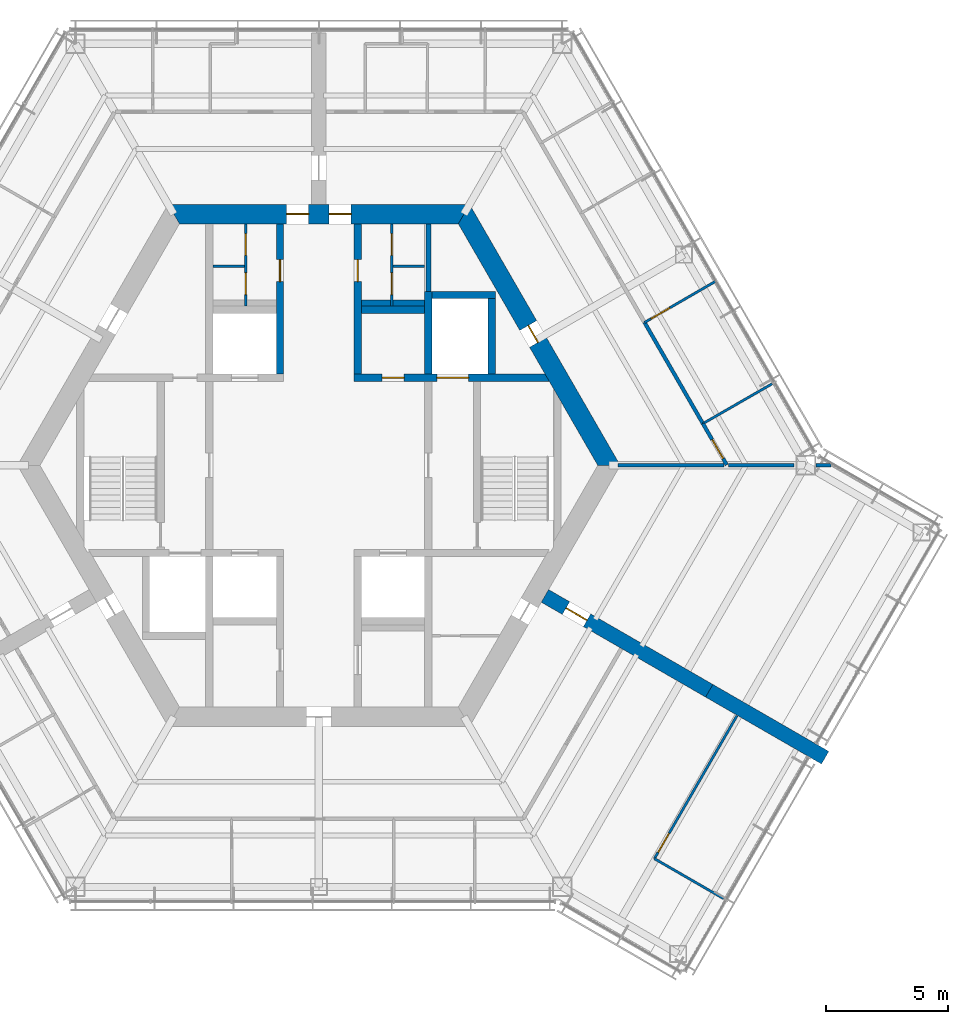
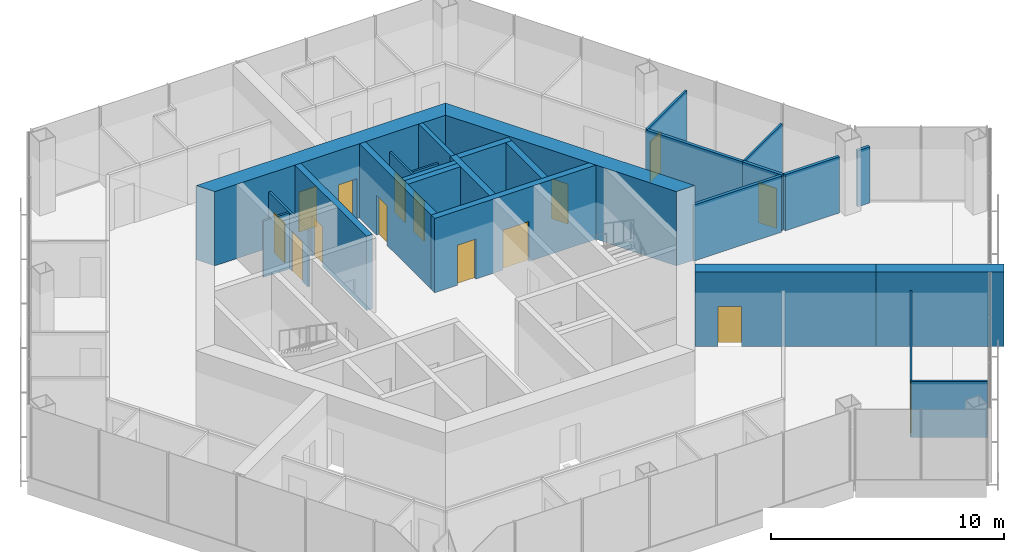
# One storey, part 9 of 13: 26 walls, 15 doors, 15 openings.
"""IFC4 building model written with IfcOpenShell, lengths in metres."""

from ifc_helpers import new_model, si_unit, direction, frame, frame_2d, origin, place, context, subcontext, project, spatial, polyline, rectangle, outline, extrude, material, layer, layer_set, type_object, element, fill, save


model = new_model("IFC4")

# Units and contexts
model_context = context("Model", 3, precision=1e-05, world=origin(), true_north=direction((0.0, 1.0)))
body_context = subcontext(model_context, "Body", "Model", "MODEL_VIEW")
ifc_project = project(units=[si_unit("LENGTHUNIT", "METRE"), si_unit("AREAUNIT", "SQUARE_METRE"), si_unit("VOLUMEUNIT", "CUBIC_METRE"), si_unit("PLANEANGLEUNIT", "RADIAN"), si_unit("MASSUNIT", "GRAM", prefix="KILO")], contexts=[model_context])

# Site, building, storey
site_placement = place(None, origin())
site = spatial("IfcSite", under=ifc_project, at=site_placement, CompositionType="ELEMENT")
building_placement = place(site_placement, origin())
building = spatial("IfcBuilding", under=site, at=building_placement, Name="Kasaneha Research Tower", CompositionType="ELEMENT")
storey_placement = place(building_placement, frame((0.0, 0.0, 294.699951171875)))
storey = spatial("IfcBuildingStorey", under=building, at=storey_placement, Name="L74", CompositionType="ELEMENT", Elevation=294.699951171875)

# Wall, openings, doors
ifc_material_1 = material(Name="Concrete Fc60", Category="concrete")
ifc_layer_1 = layer(ifc_material_1, 0.300048828125)
ifc_layer_set_1 = layer_set([ifc_layer_1], Name="Core internal wall 300 Fc60")
wall_type_1 = type_object("IfcWallType", Name="Core internal wall 300 Fc60", PredefinedType="SHEAR", material=ifc_layer_set_1)
wall_1_placement = place(storey_placement, frame((1.449951171875, 3.60009765625, 0.0), z_axis=(0.0, 0.0, 1.0), x_axis=(1.0, 0.0, 0.0)))
wall_1 = element("IfcWall", 1, at=wall_1_placement, inside=storey, type_object=wall_type_1, Name="Core wall W1E L74", PredefinedType="SHEAR", context=body_context, shape_type="SweptSolid", body=[
    extrude(outline(polyline([(0.0, -0.14990234375), (1.14990234375, -0.14990234375), (2.0498046875, -0.14990234375), (3.39990234375, -0.14990234375), (4.699951171875, -0.14990234375), (8.0185546875, -0.14990234375), (7.84521484375, 0.14990234375), (4.699951171875, 0.14990234375), (3.39990234375, 0.14990234375), (2.0498046875, 0.14990234375), (1.14990234375, 0.14990234375), (0.0, 0.14990234375), (0.0, -0.14990234375)])), origin(), (0.0, 0.0, 1.0), 3.900146484375),
])
opening_1_placement = place(wall_1_placement, frame((1.14990234375, 0.0, 0.0)))
opening_1 = element("IfcOpeningElement", 2, at=opening_1_placement, cuts=wall_1, Name="Opening L74-D17", PredefinedType="OPENING", context=body_context, shape_type="SweptSolid", body=[
    extrude(rectangle(XDim=0.89990234375, YDim=2.10009765625, at=frame_2d((0.449951171875, 1.050048828125))), frame((0.0, 0.16015625, 0.0), z_axis=(0.0, -1.0, 0.0), x_axis=(1.0, 0.0, 0.0)), (0.0, 0.0, 1.0), 0.320068359375),
])
opening_2_placement = place(wall_1_placement, frame((3.39990234375, 0.0, 0.0)))
opening_2 = element("IfcOpeningElement", 3, at=opening_2_placement, cuts=wall_1, Name="Opening LD-FL1-L74", PredefinedType="OPENING", context=body_context, shape_type="SweptSolid", body=[
    extrude(rectangle(XDim=1.300048828125, YDim=2.10009765625, at=frame_2d((0.64990234375, 1.050048828125))), frame((0.0, 0.16015625, 0.0), z_axis=(0.0, -1.0, 0.0), x_axis=(1.0, 0.0, 0.0)), (0.0, 0.0, 1.0), 0.320068359375),
])
ifc_material_2 = material(Name="Steel", Category="steel")
door_type_1 = type_object("IfcDoorType", Name="Lift landing door 1300x2100", OperationType="DOUBLE_DOOR_SLIDING", PredefinedType="DOOR", material=ifc_material_2)
door_1_placement = place(opening_2_placement, origin())
door_1 = element("IfcDoor", 4, at=door_1_placement, inside=storey, type_object=door_type_1, Name="Landing door FL1 LD-FL1-L74", OperationType="DOUBLE_DOOR_SLIDING", OverallHeight=2.10009765625, OverallWidth=1.300048828125, PredefinedType="DOOR", context=body_context, shape_type="SweptSolid", body=[
    extrude(rectangle(XDim=1.300048828125, YDim=2.10009765625, at=frame_2d((0.64990234375, 1.050048828125))), frame((0.0, 0.02490234375, 0.0), z_axis=(0.0, -1.0, 0.0), x_axis=(1.0, 0.0, 0.0)), (0.0, 0.0, 1.0), 0.050048828125),
])
fill(opening_2, door_1)
ifc_material_3 = material(Name="Steel", Category="steel")
door_type_2 = type_object("IfcDoorType", Name="Shaft room door FD60 900x2100", OperationType="NOTDEFINED", PredefinedType="DOOR", material=ifc_material_3)
door_2_placement = place(opening_1_placement, origin())
door_2 = element("IfcDoor", 5, at=door_2_placement, inside=storey, type_object=door_type_2, Name="Mail room door L74-D17", OperationType="SINGLE_SWING_LEFT", OverallHeight=2.10009765625, OverallWidth=0.89990234375, PredefinedType="DOOR", context=body_context, shape_type="SweptSolid", body=[
    extrude(rectangle(XDim=0.89990234375, YDim=2.10009765625, at=frame_2d((0.449951171875, 1.050048828125))), frame((0.0, 0.02490234375, 0.0), z_axis=(0.0, -1.0, 0.0), x_axis=(1.0, 0.0, 0.0)), (0.0, 0.0, 1.0), 0.050048828125),
])
fill(opening_1, door_2)

# Wall, opening, door
wall_2_placement = place(storey_placement, frame((-1.60009765625, 3.75, 0.0), z_axis=(0.0, 0.0, 1.0), x_axis=(0.0, 1.0, 0.0)))
wall_2 = element("IfcWall", 6, at=wall_2_placement, inside=storey, type_object=wall_type_1, Name="Core wall CNW L74", PredefinedType="SHEAR", context=body_context, shape_type="SweptSolid", body=[
    extrude(rectangle(XDim=6.175048828125, YDim=0.300048828125, at=frame_2d((3.08740234375, 0.0))), origin(), (0.0, 0.0, 1.0), 3.900146484375),
])
opening_3_placement = place(wall_2_placement, frame((3.800048828125, 0.0, 0.0)))
opening_3 = element("IfcOpeningElement", 7, at=opening_3_placement, cuts=wall_2, Name="Opening L74-D13", PredefinedType="OPENING", context=body_context, shape_type="SweptSolid", body=[
    extrude(rectangle(XDim=0.89990234375, YDim=2.10009765625, at=frame_2d((0.449951171875, 1.050048828125))), frame((0.0, 0.16015625, 0.0), z_axis=(0.0, -1.0, 0.0), x_axis=(1.0, 0.0, 0.0)), (0.0, 0.0, 1.0), 0.320068359375),
])
ifc_material_4 = material(Name="Steel", Category="steel")
door_type_3 = type_object("IfcDoorType", Name="Toilet door FD20 900x2100", OperationType="NOTDEFINED", PredefinedType="DOOR", material=ifc_material_4)
door_3_placement = place(opening_3_placement, origin())
door_3 = element("IfcDoor", 8, at=door_3_placement, inside=storey, type_object=door_type_3, Name="Men's WC door L74-D13", OperationType="SINGLE_SWING_LEFT", OverallHeight=2.10009765625, OverallWidth=0.89990234375, PredefinedType="DOOR", context=body_context, shape_type="SweptSolid", body=[
    extrude(rectangle(XDim=0.89990234375, YDim=2.10009765625, at=frame_2d((0.449951171875, 1.050048828125))), frame((0.0, 0.02490234375, 0.0), z_axis=(0.0, -1.0, 0.0), x_axis=(1.0, 0.0, 0.0)), (0.0, 0.0, 1.0), 0.050048828125),
])
fill(opening_3, door_3)

wall_3_placement = place(storey_placement, frame((1.60009765625, 3.75, 0.0), z_axis=(0.0, 0.0, 1.0), x_axis=(0.0, 1.0, 0.0)))
wall_3 = element("IfcWall", 9, at=wall_3_placement, inside=storey, type_object=wall_type_1, Name="Core wall CNE L74", PredefinedType="SHEAR", context=body_context, shape_type="SweptSolid", body=[
    extrude(rectangle(XDim=6.175048828125, YDim=0.300048828125, at=frame_2d((3.08740234375, 0.0))), origin(), (0.0, 0.0, 1.0), 3.900146484375),
])
opening_4_placement = place(wall_3_placement, frame((3.800048828125, 0.0, 0.0)))
opening_4 = element("IfcOpeningElement", 10, at=opening_4_placement, cuts=wall_3, Name="Opening L74-D14", PredefinedType="OPENING", context=body_context, shape_type="SweptSolid", body=[
    extrude(rectangle(XDim=0.89990234375, YDim=2.10009765625, at=frame_2d((0.449951171875, 1.050048828125))), frame((0.0, 0.16015625, 0.0), z_axis=(0.0, -1.0, 0.0), x_axis=(1.0, 0.0, 0.0)), (0.0, 0.0, 1.0), 0.320068359375),
])
door_4_placement = place(opening_4_placement, origin())
door_4 = element("IfcDoor", 11, at=door_4_placement, inside=storey, type_object=door_type_3, Name="Women's WC door L74-D14", OperationType="SINGLE_SWING_LEFT", OverallHeight=2.10009765625, OverallWidth=0.89990234375, PredefinedType="DOOR", context=body_context, shape_type="SweptSolid", body=[
    extrude(rectangle(XDim=0.89990234375, YDim=2.10009765625, at=frame_2d((0.449951171875, 1.050048828125))), frame((0.0, 0.02490234375, 0.0), z_axis=(0.0, -1.0, 0.0), x_axis=(1.0, 0.0, 0.0)), (0.0, 0.0, 1.0), 0.050048828125),
])
fill(opening_4, door_4)

# Walls
wall_4_placement = place(storey_placement, frame((4.5, 3.75, 0.0), z_axis=(0.0, 0.0, 1.0), x_axis=(0.0, 1.0, 0.0)))
element("IfcWall", 12, at=wall_4_placement, inside=storey, type_object=wall_type_1, Name="Core wall FNE L74", PredefinedType="SHEAR", context=body_context, shape_type="SweptSolid", body=[
    extrude(rectangle(XDim=3.39990234375, YDim=0.300048828125, at=frame_2d((1.699951171875, 0.0))), origin(), (0.0, 0.0, 1.0), 3.900146484375),
])
for number, where, z_axis, x_axis, name in (
    (13, (1.75, 6.39990234375, 0.0), (0.0, 0.0, 1.0), (1.0, 0.0, 0.0), "Core wall N3N L74"),
    (14, (4.64990234375, 7.0, 0.0), (0.0, 0.0, 1.0), (1.0, 0.0, 0.0), "Core wall F1N L74"),
):
    element("IfcWall", number, at=place(storey_placement, frame(where, z_axis=z_axis, x_axis=x_axis)), inside=storey, type_object=wall_type_1, Name=name, PredefinedType="SHEAR", context=body_context, shape_type="SweptSolid", body=[
        extrude(rectangle(XDim=2.60009765625, YDim=0.300048828125, at=frame_2d((1.300048828125, 0.0))), origin(), (0.0, 0.0, 1.0), 3.900146484375),
    ])
wall_5_placement = place(storey_placement, frame((7.10009765625, 3.75, 0.0), z_axis=(0.0, 0.0, 1.0), x_axis=(0.0, 1.0, 0.0)))
element("IfcWall", 15, at=wall_5_placement, inside=storey, type_object=wall_type_1, Name="Core wall F1E L74", PredefinedType="SHEAR", context=body_context, shape_type="SweptSolid", body=[
    extrude(rectangle(XDim=3.10009765625, YDim=0.300048828125, at=frame_2d((1.550048828125, 0.0))), origin(), (0.0, 0.0, 1.0), 3.900146484375),
])

# Wall, opening, door
ifc_material_5 = material(Name="Concrete Fc60", Category="concrete")
ifc_layer_2 = layer(ifc_material_5, 0.800048828125)
ifc_layer_set_2 = layer_set([ifc_layer_2], Name="Core wall 800 Fc60")
wall_type_2 = type_object("IfcWallType", Name="Core wall 800 Fc60", PredefinedType="SHEAR", material=ifc_layer_set_2)
wall_6_placement = place(storey_placement, frame((11.92236328125, 0.0, 0.0), z_axis=(0.0, 0.0, 1.0), x_axis=(-0.500004296715, 0.866022923061, 0.0)))
wall_6 = element("IfcWall", 16, at=wall_6_placement, inside=storey, type_object=wall_type_2, Name="Core wall 030 L74", PredefinedType="SHEAR", context=body_context, shape_type="SweptSolid", body=[
    extrude(outline(polyline([(-0.23095703125, -0.39990234375), (5.83544921875, -0.39990234375), (6.635498046875, -0.39990234375), (12.1533203125, -0.39990234375), (11.69140625, 0.39990234375), (6.635498046875, 0.39990234375), (5.83544921875, 0.39990234375), (0.23095703125, 0.39990234375), (-0.23095703125, -0.39990234375)])), origin(), (0.0, 0.0, 1.0), 3.900146484375),
])
opening_5_placement = place(wall_6_placement, frame((5.83544921875, 0.0, 0.0)))
opening_5 = element("IfcOpeningElement", 17, at=opening_5_placement, cuts=wall_6, Name="Opening L74-D04", PredefinedType="OPENING", context=body_context, shape_type="SweptSolid", body=[
    extrude(rectangle(XDim=0.800048828125, YDim=2.10009765625, at=frame_2d((0.39990234375, 1.050048828125))), frame((0.0, 0.41015625, 0.0), z_axis=(0.0, -1.0, 0.0), x_axis=(1.0, 0.0, 0.0)), (0.0, 0.0, 1.0), 0.820068359375),
])
ifc_material_6 = material(Name="Steel", Category="steel")
door_type_4 = type_object("IfcDoorType", Name="Riser access door FD60 800x2100", OperationType="NOTDEFINED", PredefinedType="DOOR", material=ifc_material_6)
door_5_placement = place(opening_5_placement, origin())
door_5 = element("IfcDoor", 18, at=door_5_placement, inside=storey, type_object=door_type_4, Name="Pipe riser door L74-D04", OperationType="SINGLE_SWING_RIGHT", OverallHeight=2.10009765625, OverallWidth=0.800048828125, PredefinedType="DOOR", context=body_context, shape_type="SweptSolid", body=[
    extrude(rectangle(XDim=0.800048828125, YDim=2.10009765625, at=frame_2d((0.39990234375, 1.050048828125))), frame((0.0, 0.02490234375, 0.0), z_axis=(0.0, -1.0, 0.0), x_axis=(1.0, 0.0, 0.0)), (0.0, 0.0, 1.0), 0.050048828125),
])
fill(opening_5, door_5)

# Wall, openings, doors
wall_7_placement = place(storey_placement, frame((5.961181640625, 10.324951171875, 0.0), z_axis=(0.0, 0.0, 1.0), x_axis=(-1.0, 0.0, 0.0)))
wall_7 = element("IfcWall", 19, at=wall_7_placement, inside=storey, type_object=wall_type_2, Name="Core wall 090 L74", PredefinedType="SHEAR", context=body_context, shape_type="SweptSolid", body=[
    extrude(outline(polyline([(-0.23095703125, -0.39990234375), (4.63623046875, -0.39990234375), (5.5361328125, -0.39990234375), (6.38623046875, -0.39990234375), (7.2861328125, -0.39990234375), (12.1533203125, -0.39990234375), (11.69140625, 0.39990234375), (7.2861328125, 0.39990234375), (6.38623046875, 0.39990234375), (5.5361328125, 0.39990234375), (4.63623046875, 0.39990234375), (0.23095703125, 0.39990234375), (-0.23095703125, -0.39990234375)])), origin(), (0.0, 0.0, 1.0), 3.900146484375),
])
opening_6_placement = place(wall_7_placement, frame((6.38623046875, 0.0, 0.0)))
opening_6 = element("IfcOpeningElement", 20, at=opening_6_placement, cuts=wall_7, Name="Opening L74-D01", PredefinedType="OPENING", context=body_context, shape_type="SweptSolid", body=[
    extrude(rectangle(XDim=0.89990234375, YDim=2.10009765625, at=frame_2d((0.449951171875, 1.050048828125))), frame((0.0, 0.41015625, 0.0), z_axis=(0.0, -1.0, 0.0), x_axis=(1.0, 0.0, 0.0)), (0.0, 0.0, 1.0), 0.820068359375),
])
opening_7_placement = place(wall_7_placement, frame((4.63623046875, 0.0, 0.0)))
opening_7 = element("IfcOpeningElement", 21, at=opening_7_placement, cuts=wall_7, Name="Opening L74-D02", PredefinedType="OPENING", context=body_context, shape_type="SweptSolid", body=[
    extrude(rectangle(XDim=0.89990234375, YDim=2.10009765625, at=frame_2d((0.449951171875, 1.050048828125))), frame((0.0, 0.41015625, 0.0), z_axis=(0.0, -1.0, 0.0), x_axis=(1.0, 0.0, 0.0)), (0.0, 0.0, 1.0), 0.820068359375),
])
door_6_placement = place(opening_6_placement, origin())
door_6 = element("IfcDoor", 22, at=door_6_placement, inside=storey, type_object=door_type_3, Name="Core door north 1 L74-D01", OperationType="SINGLE_SWING_RIGHT", OverallHeight=2.10009765625, OverallWidth=0.89990234375, PredefinedType="DOOR", context=body_context, shape_type="SweptSolid", body=[
    extrude(rectangle(XDim=0.89990234375, YDim=2.10009765625, at=frame_2d((0.449951171875, 1.050048828125))), frame((0.0, 0.02490234375, 0.0), z_axis=(0.0, -1.0, 0.0), x_axis=(1.0, 0.0, 0.0)), (0.0, 0.0, 1.0), 0.050048828125),
])
fill(opening_6, door_6)
door_7_placement = place(opening_7_placement, origin())
door_7 = element("IfcDoor", 23, at=door_7_placement, inside=storey, type_object=door_type_3, Name="Core door north 2 L74-D02", OperationType="SINGLE_SWING_LEFT", OverallHeight=2.10009765625, OverallWidth=0.89990234375, PredefinedType="DOOR", context=body_context, shape_type="SweptSolid", body=[
    extrude(rectangle(XDim=0.89990234375, YDim=2.10009765625, at=frame_2d((0.449951171875, 1.050048828125))), frame((0.0, 0.02490234375, 0.0), z_axis=(0.0, -1.0, 0.0), x_axis=(1.0, 0.0, 0.0)), (0.0, 0.0, 1.0), 0.050048828125),
])
fill(opening_7, door_7)

ifc_material_7 = material(Name="Gypsum board on steel studs, one layer each side", Category="steel")
ifc_layer_3 = layer(ifc_material_7, 0.10009765625)
ifc_layer_set_3 = layer_set([ifc_layer_3], Name="Office partition 100")
wall_type_3 = type_object("IfcWallType", Name="Office partition 100", PredefinedType="PARTITIONING", material=ifc_layer_set_3)
wall_8_placement = place(storey_placement, frame((-3.0, 6.550048828125, 0.0), z_axis=(0.0, 0.0, 1.0), x_axis=(0.0, 1.0, 0.0)))
wall_8 = element("IfcWall", 24, at=wall_8_placement, inside=storey, type_object=wall_type_3, Name="Office partition TBM1 L74", PredefinedType="PARTITIONING", context=body_context, shape_type="SweptSolid", body=[
    extrude(rectangle(XDim=3.375, YDim=0.10009765625, at=frame_2d((1.6875, 0.0))), origin(), (0.0, 0.0, 1.0), 2.949951171875),
])
opening_8_placement = place(wall_8_placement, frame((2.074951171875, 0.0, 0.0)))
opening_8 = element("IfcOpeningElement", 25, at=opening_8_placement, cuts=wall_8, Name="Opening L74-D21", PredefinedType="OPENING", context=body_context, shape_type="SweptSolid", body=[
    extrude(rectangle(XDim=0.89990234375, YDim=2.10009765625, at=frame_2d((0.449951171875, 1.050048828125))), frame((0.0, 0.06005859375, 0.0), z_axis=(0.0, -1.0, 0.0), x_axis=(1.0, 0.0, 0.0)), (0.0, 0.0, 1.0), 0.1201171875),
])
opening_9_placement = place(wall_8_placement, frame((0.46240234375, 0.0, 0.0)))
opening_9 = element("IfcOpeningElement", 26, at=opening_9_placement, cuts=wall_8, Name="Opening L74-D22", PredefinedType="OPENING", context=body_context, shape_type="SweptSolid", body=[
    extrude(rectangle(XDim=0.89990234375, YDim=2.10009765625, at=frame_2d((0.449951171875, 1.050048828125))), frame((0.0, 0.06005859375, 0.0), z_axis=(0.0, -1.0, 0.0), x_axis=(1.0, 0.0, 0.0)), (0.0, 0.0, 1.0), 0.1201171875),
])
ifc_material_8 = material(Name="Steel", Category="steel")
door_type_5 = type_object("IfcDoorType", Name="Toilet lobby door FD30 900x2100", OperationType="NOTDEFINED", PredefinedType="DOOR", material=ifc_material_8)
door_8_placement = place(opening_8_placement, origin())
door_8 = element("IfcDoor", 27, at=door_8_placement, inside=storey, type_object=door_type_5, Name="Men's WC door L74-D21", OperationType="SINGLE_SWING_RIGHT", OverallHeight=2.10009765625, OverallWidth=0.89990234375, PredefinedType="DOOR", context=body_context, shape_type="SweptSolid", body=[
    extrude(rectangle(XDim=0.89990234375, YDim=2.10009765625, at=frame_2d((0.449951171875, 1.050048828125))), frame((0.0, 0.02490234375, 0.0), z_axis=(0.0, -1.0, 0.0), x_axis=(1.0, 0.0, 0.0)), (0.0, 0.0, 1.0), 0.050048828125),
])
fill(opening_8, door_8)
door_9_placement = place(opening_9_placement, origin())
door_9 = element("IfcDoor", 28, at=door_9_placement, inside=storey, type_object=door_type_5, Name="Cleaner's store door L74-D22", OperationType="SINGLE_SWING_RIGHT", OverallHeight=2.10009765625, OverallWidth=0.89990234375, PredefinedType="DOOR", context=body_context, shape_type="SweptSolid", body=[
    extrude(rectangle(XDim=0.89990234375, YDim=2.10009765625, at=frame_2d((0.449951171875, 1.050048828125))), frame((0.0, 0.02490234375, 0.0), z_axis=(0.0, -1.0, 0.0), x_axis=(1.0, 0.0, 0.0)), (0.0, 0.0, 1.0), 0.050048828125),
])
fill(opening_9, door_9)

# Wall
wall_9_placement = place(storey_placement, frame((-3.050048828125, 8.175048828125, 0.0), z_axis=(0.0, 0.0, 1.0), x_axis=(-1.0, 0.0, 0.0)))
element("IfcWall", 29, at=wall_9_placement, inside=storey, type_object=wall_type_3, Name="Office partition TBM2 L74", PredefinedType="PARTITIONING", context=body_context, shape_type="SweptSolid", body=[
    extrude(rectangle(XDim=1.300048828125, YDim=0.10009765625, at=frame_2d((0.64990234375, 0.0))), origin(), (0.0, 0.0, 1.0), 2.949951171875),
])

# Wall, openings, doors
wall_10_placement = place(storey_placement, frame((3.0, 6.550048828125, 0.0), z_axis=(0.0, 0.0, 1.0), x_axis=(0.0, 1.0, 0.0)))
wall_10 = element("IfcWall", 30, at=wall_10_placement, inside=storey, type_object=wall_type_3, Name="Office partition TBF1 L74", PredefinedType="PARTITIONING", context=body_context, shape_type="SweptSolid", body=[
    extrude(rectangle(XDim=3.375, YDim=0.10009765625, at=frame_2d((1.6875, 0.0))), origin(), (0.0, 0.0, 1.0), 2.949951171875),
])
opening_10_placement = place(wall_10_placement, frame((2.074951171875, 0.0, 0.0)))
opening_10 = element("IfcOpeningElement", 31, at=opening_10_placement, cuts=wall_10, Name="Opening L74-D23", PredefinedType="OPENING", context=body_context, shape_type="SweptSolid", body=[
    extrude(rectangle(XDim=0.89990234375, YDim=2.10009765625, at=frame_2d((0.449951171875, 1.050048828125))), frame((0.0, 0.06005859375, 0.0), z_axis=(0.0, -1.0, 0.0), x_axis=(1.0, 0.0, 0.0)), (0.0, 0.0, 1.0), 0.1201171875),
])
opening_11_placement = place(wall_10_placement, frame((0.46240234375, 0.0, 0.0)))
opening_11 = element("IfcOpeningElement", 32, at=opening_11_placement, cuts=wall_10, Name="Opening L74-D24", PredefinedType="OPENING", context=body_context, shape_type="SweptSolid", body=[
    extrude(rectangle(XDim=0.89990234375, YDim=2.10009765625, at=frame_2d((0.449951171875, 1.050048828125))), frame((0.0, 0.06005859375, 0.0), z_axis=(0.0, -1.0, 0.0), x_axis=(1.0, 0.0, 0.0)), (0.0, 0.0, 1.0), 0.1201171875),
])
door_10_placement = place(opening_10_placement, origin())
door_10 = element("IfcDoor", 33, at=door_10_placement, inside=storey, type_object=door_type_5, Name="Women's WC door L74-D23", OperationType="SINGLE_SWING_RIGHT", OverallHeight=2.10009765625, OverallWidth=0.89990234375, PredefinedType="DOOR", context=body_context, shape_type="SweptSolid", body=[
    extrude(rectangle(XDim=0.89990234375, YDim=2.10009765625, at=frame_2d((0.449951171875, 1.050048828125))), frame((0.0, 0.02490234375, 0.0), z_axis=(0.0, -1.0, 0.0), x_axis=(1.0, 0.0, 0.0)), (0.0, 0.0, 1.0), 0.050048828125),
])
fill(opening_10, door_10)
door_11_placement = place(opening_11_placement, origin())
door_11 = element("IfcDoor", 34, at=door_11_placement, inside=storey, type_object=door_type_5, Name="Staff WC door L74-D24", OperationType="SINGLE_SWING_RIGHT", OverallHeight=2.10009765625, OverallWidth=0.89990234375, PredefinedType="DOOR", context=body_context, shape_type="SweptSolid", body=[
    extrude(rectangle(XDim=0.89990234375, YDim=2.10009765625, at=frame_2d((0.449951171875, 1.050048828125))), frame((0.0, 0.02490234375, 0.0), z_axis=(0.0, -1.0, 0.0), x_axis=(1.0, 0.0, 0.0)), (0.0, 0.0, 1.0), 0.050048828125),
])
fill(opening_11, door_11)

# Walls
wall_11_placement = place(storey_placement, frame((3.050048828125, 8.175048828125, 0.0), z_axis=(0.0, 0.0, 1.0), x_axis=(1.0, 0.0, 0.0)))
element("IfcWall", 35, at=wall_11_placement, inside=storey, type_object=wall_type_3, Name="Office partition TBF2 L74", PredefinedType="PARTITIONING", context=body_context, shape_type="SweptSolid", body=[
    extrude(rectangle(XDim=1.300048828125, YDim=0.10009765625, at=frame_2d((0.64990234375, 0.0))), origin(), (0.0, 0.0, 1.0), 2.949951171875),
])
wall_12_placement = place(storey_placement, frame((18.61962890625, 3.3505859375, 0.0), z_axis=(0.0, 0.0, 1.0), x_axis=(-0.866762109236, -0.498721812229, 0.0)))
element("IfcWall", 36, at=wall_12_placement, inside=storey, type_object=wall_type_3, Name="Office partition FAE14 L74", PredefinedType="PARTITIONING", context=body_context, shape_type="SweptSolid", body=[
    extrude(rectangle(XDim=3.27490234375, YDim=0.10009765625, at=frame_2d((1.637451171875, 0.0))), origin(), (0.0, 0.0, 1.0), 2.949951171875),
])

# Wall, opening, door
wall_13_placement = place(storey_placement, frame((13.381103515625, 5.87353515625, 0.0), z_axis=(0.0, 0.0, 1.0), x_axis=(0.865294595383, 0.501263666348, 0.0)))
wall_13 = element("IfcWall", 37, at=wall_13_placement, inside=storey, type_object=wall_type_3, Name="Office partition FAE15 L74", PredefinedType="PARTITIONING", context=body_context, shape_type="SweptSolid", body=[
    extrude(rectangle(XDim=3.385498046875, YDim=0.10009765625, at=frame_2d((1.69287109375, 0.0))), origin(), (0.0, 0.0, 1.0), 2.949951171875),
])
opening_12_placement = place(wall_13_placement, frame((0.300048828125, 0.0, 0.0)))
opening_12 = element("IfcOpeningElement", 38, at=opening_12_placement, cuts=wall_13, Name="Opening L74-D32", PredefinedType="OPENING", context=body_context, shape_type="SweptSolid", body=[
    extrude(rectangle(XDim=0.89990234375, YDim=2.10009765625, at=frame_2d((0.449951171875, 1.050048828125))), frame((0.0, 0.06005859375, 0.0), z_axis=(0.0, -1.0, 0.0), x_axis=(1.0, 0.0, 0.0)), (0.0, 0.0, 1.0), 0.1201171875),
])
ifc_material_9 = material(Name="Timber veneer", Category="wood")
door_type_6 = type_object("IfcDoorType", Name="Office door 900x2100", OperationType="SINGLE_SWING_LEFT", PredefinedType="DOOR", material=ifc_material_9)
door_12_placement = place(opening_12_placement, origin())
door_12 = element("IfcDoor", 39, at=door_12_placement, inside=storey, type_object=door_type_6, Name="Pantry door L74-D32", OperationType="SINGLE_SWING_LEFT", OverallHeight=2.10009765625, OverallWidth=0.89990234375, PredefinedType="DOOR", context=body_context, shape_type="SweptSolid", body=[
    extrude(rectangle(XDim=0.89990234375, YDim=2.10009765625, at=frame_2d((0.449951171875, 1.050048828125))), frame((0.0, 0.02490234375, 0.0), z_axis=(0.0, -1.0, 0.0), x_axis=(1.0, 0.0, 0.0)), (0.0, 0.0, 1.0), 0.050048828125),
])
fill(opening_12, door_12)

wall_14_placement = place(storey_placement, frame((13.788330078125, -16.158935546875, 0.0), z_axis=(0.0, 0.0, 1.0), x_axis=(0.499992600721, 0.866029675718, 0.0)))
wall_14 = element("IfcWall", 40, at=wall_14_placement, inside=storey, type_object=wall_type_3, Name="Office partition FCS09 L74", PredefinedType="PARTITIONING", context=body_context, shape_type="SweptSolid", body=[
    extrude(rectangle(XDim=6.77978515625, YDim=0.10009765625, at=frame_2d((3.389892578125, 0.0))), origin(), (0.0, 0.0, 1.0), 2.949951171875),
])
opening_13_placement = place(wall_14_placement, frame((0.300048828125, 0.0, 0.0)))
opening_13 = element("IfcOpeningElement", 41, at=opening_13_placement, cuts=wall_14, Name="Opening L74-D50", PredefinedType="OPENING", context=body_context, shape_type="SweptSolid", body=[
    extrude(rectangle(XDim=0.89990234375, YDim=2.10009765625, at=frame_2d((0.449951171875, 1.050048828125))), frame((0.0, 0.06005859375, 0.0), z_axis=(0.0, -1.0, 0.0), x_axis=(1.0, 0.0, 0.0)), (0.0, 0.0, 1.0), 0.1201171875),
])
door_13_placement = place(opening_13_placement, origin())
door_13 = element("IfcDoor", 42, at=door_13_placement, inside=storey, type_object=door_type_6, Name="Executive office door L74-D50", OperationType="SINGLE_SWING_LEFT", OverallHeight=2.10009765625, OverallWidth=0.89990234375, PredefinedType="DOOR", context=body_context, shape_type="SweptSolid", body=[
    extrude(rectangle(XDim=0.89990234375, YDim=2.10009765625, at=frame_2d((0.449951171875, 1.050048828125))), frame((0.0, 0.02490234375, 0.0), z_axis=(0.0, -1.0, 0.0), x_axis=(1.0, 0.0, 0.0)), (0.0, 0.0, 1.0), 0.050048828125),
])
fill(opening_13, door_13)

# Walls
wall_15_placement = place(storey_placement, frame((16.62890625, -17.799072265625, 0.0), z_axis=(0.0, 0.0, 1.0), x_axis=(-0.866008333849, 0.50002956483, 0.0)))
element("IfcWall", 43, at=wall_15_placement, inside=storey, type_object=wall_type_3, Name="Office partition FCS10 L74", PredefinedType="PARTITIONING", context=body_context, shape_type="SweptSolid", body=[
    extrude(rectangle(XDim=3.280029296875, YDim=0.10009765625, at=frame_2d((1.64013671875, 0.0))), origin(), (0.0, 0.0, 1.0), 2.949951171875),
])
ifc_material_10 = material(Name="Concrete block", Category="concrete")
ifc_layer_4 = layer(ifc_material_10, 0.199951171875)
ifc_layer_set_4 = layer_set([ifc_layer_4], Name="Riser enclosure wall 200")
wall_type_4 = type_object("IfcWallType", Name="Riser enclosure wall 200", PredefinedType="STANDARD", material=ifc_layer_set_4)
wall_16_placement = place(storey_placement, frame((4.5, 7.14990234375, 0.0), z_axis=(0.0, 0.0, 1.0), x_axis=(0.0, 1.0, 0.0)))
element("IfcWall", 44, at=wall_16_placement, inside=storey, type_object=wall_type_4, Name="Riser enclosure wall L74", PredefinedType="STANDARD", context=body_context, shape_type="SweptSolid", body=[
    extrude(rectangle(XDim=2.775146484375, YDim=0.199951171875, at=frame_2d((1.3876953125, 0.0))), origin(), (0.0, 0.0, 1.0), 3.900146484375),
])

# Wall, opening, door
ifc_material_11 = material(Name="Concrete Fc60", Category="concrete")
ifc_layer_5 = layer(ifc_material_11, 0.60009765625)
ifc_layer_set_5 = layer_set([ifc_layer_5], Name="Spine wall 600 Fc60")
wall_type_5 = type_object("IfcWallType", Name="Spine wall 600 Fc60", PredefinedType="SHEAR", material=ifc_layer_set_5)
wall_17_placement = place(storey_placement, frame((9.2880859375, -5.362548828125, 0.0), z_axis=(0.0, 0.0, 1.0), x_axis=(0.866031736626, -0.499989031036, 0.0)))
wall_17 = element("IfcWall", 45, at=wall_17_placement, inside=storey, type_object=wall_type_5, Name="Spine wall C L74", PredefinedType="SHEAR", context=body_context, shape_type="SweptSolid", body=[
    extrude(rectangle(XDim=7.795654296875, YDim=0.60009765625, at=frame_2d((3.89794921875, 0.0))), origin(), (0.0, 0.0, 1.0), 3.900146484375),
])
opening_14_placement = place(wall_17_placement, frame((1.0, 0.0, 0.0)))
opening_14 = element("IfcOpeningElement", 46, at=opening_14_placement, cuts=wall_17, Name="Opening L74-D20", PredefinedType="OPENING", context=body_context, shape_type="SweptSolid", body=[
    extrude(rectangle(XDim=1.0, YDim=2.10009765625, at=frame_2d((0.5, 1.050048828125))), frame((0.0, 0.31005859375, 0.0), z_axis=(0.0, -1.0, 0.0), x_axis=(1.0, 0.0, 0.0)), (0.0, 0.0, 1.0), 0.6201171875),
])
ifc_material_12 = material(Name="Steel", Category="steel")
door_type_7 = type_object("IfcDoorType", Name="Specified fire door FD60 1000x2100", OperationType="NOTDEFINED", PredefinedType="DOOR", material=ifc_material_12)
door_14_placement = place(opening_14_placement, origin())
door_14 = element("IfcDoor", 47, at=door_14_placement, inside=storey, type_object=door_type_7, Name="Spine doorway C L74-D20", OperationType="SINGLE_SWING_LEFT", OverallHeight=2.10009765625, OverallWidth=1.0, PredefinedType="DOOR", context=body_context, shape_type="SweptSolid", body=[
    extrude(rectangle(XDim=1.0, YDim=2.10009765625, at=frame_2d((0.5, 1.050048828125))), frame((0.0, 0.02490234375, 0.0), z_axis=(0.0, -1.0, 0.0), x_axis=(1.0, 0.0, 0.0)), (0.0, 0.0, 1.0), 0.050048828125),
])
fill(opening_14, door_14)

# Walls
wall_18_placement = place(storey_placement, frame((16.039306640625, -9.26025390625, 0.0), z_axis=(0.0, 0.0, 1.0), x_axis=(0.866027397988, -0.499996545922, 0.0)))
element("IfcWall", 48, at=wall_18_placement, inside=storey, type_object=wall_type_5, Name="Spine wall C wing L74", PredefinedType="SHEAR", context=body_context, shape_type="SweptSolid", body=[
    extrude(rectangle(XDim=5.5, YDim=0.60009765625, at=frame_2d((2.75, 0.0))), origin(), (0.0, 0.0, 1.0), 3.900146484375),
])
ifc_material_13 = material(Name="Gypsum board on steel studs, two layers each side", Category="steel")
ifc_layer_6 = layer(ifc_material_13, 0.14990234375)
ifc_layer_set_6 = layer_set([ifc_layer_6], Name="Suite partition 150")
wall_type_6 = type_object("IfcWallType", Name="Suite partition 150", PredefinedType="PARTITIONING", material=ifc_layer_set_6)
wall_19_placement = place(storey_placement, frame((13.376220703125, 5.8818359375, 0.0), z_axis=(0.0, 0.0, 1.0), x_axis=(0.499991431567, -0.866030350715, 0.0)))
element("IfcWall", 49, at=wall_19_placement, inside=storey, type_object=wall_type_6, Name="Suite partition FAE02 L74", PredefinedType="PARTITIONING", context=body_context, shape_type="SweptSolid", body=[
    extrude(rectangle(XDim=4.81884765625, YDim=0.14990234375, at=frame_2d((2.409423828125, 0.0))), origin(), (0.0, 0.0, 1.0), 2.949951171875),
])

# Wall, opening, door
wall_20_placement = place(storey_placement, frame((15.78076171875, 1.717041015625, 0.0), z_axis=(0.0, 0.0, 1.0), x_axis=(0.499984888139, -0.866034128446, 0.0)))
wall_20 = element("IfcWall", 50, at=wall_20_placement, inside=storey, type_object=wall_type_6, Name="Suite partition FAE06 L74", PredefinedType="PARTITIONING", context=body_context, shape_type="SweptSolid", body=[
    extrude(rectangle(XDim=1.95947265625, YDim=0.14990234375, at=frame_2d((0.979736328125, 0.0))), origin(), (0.0, 0.0, 1.0), 2.949951171875),
])
opening_15_placement = place(wall_20_placement, frame((0.759765625, 0.0, 0.0)))
opening_15 = element("IfcOpeningElement", 51, at=opening_15_placement, cuts=wall_20, Name="Opening L74-D29", PredefinedType="OPENING", context=body_context, shape_type="SweptSolid", body=[
    extrude(rectangle(XDim=0.89990234375, YDim=2.10009765625, at=frame_2d((0.449951171875, 1.050048828125))), frame((0.0, 0.0849609375, 0.0), z_axis=(0.0, -1.0, 0.0), x_axis=(1.0, 0.0, 0.0)), (0.0, 0.0, 1.0), 0.169921875),
])
door_15_placement = place(opening_15_placement, origin())
door_15 = element("IfcDoor", 52, at=door_15_placement, inside=storey, type_object=door_type_6, Name="Workroom door L74-D29", OperationType="SINGLE_SWING_RIGHT", OverallHeight=2.10009765625, OverallWidth=0.89990234375, PredefinedType="DOOR", context=body_context, shape_type="SweptSolid", body=[
    extrude(rectangle(XDim=0.89990234375, YDim=2.10009765625, at=frame_2d((0.449951171875, 1.050048828125))), frame((0.0, 0.02490234375, 0.0), z_axis=(0.0, -1.0, 0.0), x_axis=(1.0, 0.0, 0.0)), (0.0, 0.0, 1.0), 0.050048828125),
])
fill(opening_15, door_15)

# Walls
wall_21_placement = place(storey_placement, frame((19.5185546875, 0.0, 0.0), z_axis=(0.0, 0.0, 1.0), x_axis=(-1.0, 0.0, 0.0)))
element("IfcWall", 53, at=wall_21_placement, inside=storey, type_object=wall_type_6, Name="Suite partition closer PT4 L74", PredefinedType="PARTITIONING", context=body_context, shape_type="SweptSolid", body=[
    extrude(rectangle(XDim=2.68798828125, YDim=0.14990234375, at=frame_2d((1.343994140625, 0.0))), origin(), (0.0, 0.0, 1.0), 2.949951171875),
])
wall_22_placement = place(storey_placement, frame((12.2841796875, 0.0, 0.0), z_axis=(0.0, 0.0, 1.0), x_axis=(1.0, 0.0, 0.0)))
element("IfcWall", 54, at=wall_22_placement, inside=storey, type_object=wall_type_6, Name="Suite partition closer PT4 L74", PredefinedType="PARTITIONING", context=body_context, shape_type="SweptSolid", body=[
    extrude(rectangle(XDim=4.36279296875, YDim=0.14990234375, at=frame_2d((2.181396484375, 0.0))), origin(), (0.0, 0.0, 1.0), 2.949951171875),
])
wall_23_placement = place(storey_placement, frame((20.419921875, 0.0, 0.0), z_axis=(0.0, 0.0, 1.0), x_axis=(1.0, 0.0, 0.0)))
element("IfcWall", 55, at=wall_23_placement, inside=storey, type_object=wall_type_6, Name="Suite partition closer PT4 L74", PredefinedType="PARTITIONING", context=body_context, shape_type="SweptSolid", body=[
    extrude(rectangle(XDim=0.614013671875, YDim=0.14990234375, at=frame_2d((0.30712890625, 0.0))), origin(), (0.0, 0.0, 1.0), 2.949951171875),
])
ifc_material_14 = material(Name="Concrete block lining", Category="concrete")
ifc_layer_7 = layer(ifc_material_14, 0.25)
ifc_layer_set_7 = layer_set([ifc_layer_7], Name="WC plumbing wall 250")
wall_type_7 = type_object("IfcWallType", Name="WC plumbing wall 250", PredefinedType="PLUMBINGWALL", material=ifc_layer_set_7)
wall_24_placement = place(storey_placement, frame((1.75, 6.675048828125, 0.0), z_axis=(0.0, 0.0, 1.0), x_axis=(1.0, 0.0, 0.0)))
element("IfcWall", 56, at=wall_24_placement, inside=storey, type_object=wall_type_7, Name="WC plumbing wall F L74", PredefinedType="PLUMBINGWALL", context=body_context, shape_type="SweptSolid", body=[
    extrude(rectangle(XDim=2.60009765625, YDim=0.25, at=frame_2d((1.300048828125, 0.0))), origin(), (0.0, 0.0, 1.0), 3.900146484375),
])

save(model, "model.ifc")
